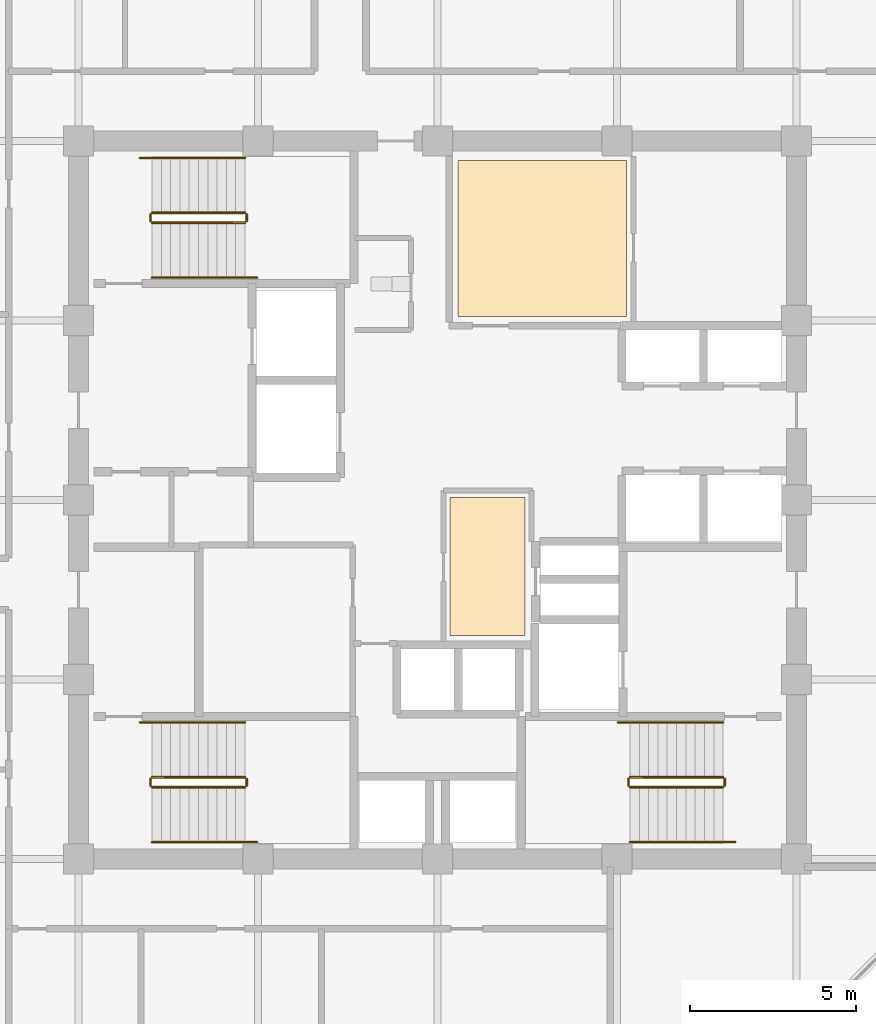
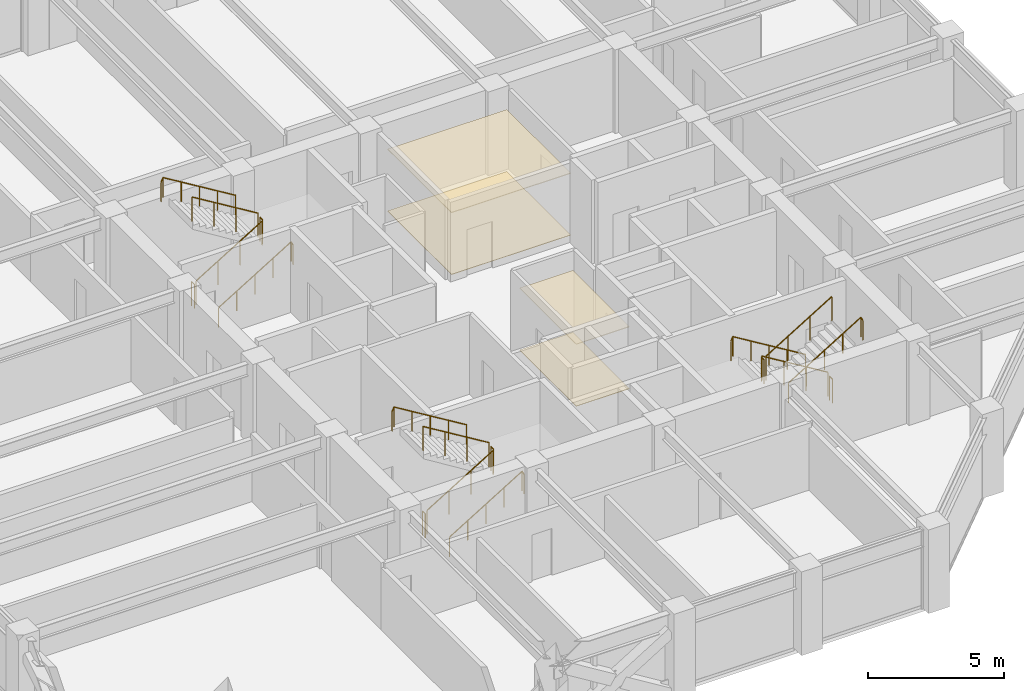
# One storey, part 31 of 32: 18 railings, 4 coverings.
"""IFC4 building model written with IfcOpenShell, lengths in metres."""

from ifc_helpers import new_model, si_unit, direction, frame, origin, origin_2d, place, context, subcontext, project, spatial, polyline, circle, outline, extrude, material, layer, layer_set, type_object, element, save


model = new_model("IFC4")

# Units and contexts
model_context = context("Model", 3, precision=1e-05, world=origin(), true_north=direction((0.0, 1.0)))
body_context = subcontext(model_context, "Body", "Model", "MODEL_VIEW")
ifc_project = project(units=[si_unit("LENGTHUNIT", "METRE"), si_unit("AREAUNIT", "SQUARE_METRE"), si_unit("VOLUMEUNIT", "CUBIC_METRE"), si_unit("PLANEANGLEUNIT", "RADIAN"), si_unit("MASSUNIT", "GRAM", prefix="KILO")], contexts=[model_context])

# Site, building, storey
site_placement = place(None, origin())
site = spatial("IfcSite", under=ifc_project, at=site_placement, CompositionType="ELEMENT")
building_placement = place(site_placement, origin())
building = spatial("IfcBuilding", under=site, at=building_placement, Name="Surkhivell Harbour Commons", CompositionType="ELEMENT")
storey_placement = place(building_placement, frame((0.0, 0.0, 208.5)))
storey = spatial("IfcBuildingStorey", under=building, at=storey_placement, Name="L54", CompositionType="ELEMENT", Elevation=208.5)

# Coverings
ifc_material_1 = material(Name="Perforated acoustic mineral-fibre ceiling tile", Category="other")
ifc_layer_1 = layer(ifc_material_1, 0.02490234375)
ifc_layer_set_1 = layer_set([ifc_layer_1], Name="Perforated acoustic mineral-fibre ceiling tile")
covering_type_1 = type_object("IfcCoveringType", Name="COV-CEIL-AC", PredefinedType="CEILING", material=ifc_layer_set_1)
covering_1_placement = place(storey_placement, frame((0.0, 0.0, 2.77490234375)))
element("IfcCovering", 1, at=covering_1_placement, inside=storey, type_object=covering_type_1, Name="L54 Suspended Acoustic Ceiling 1", PredefinedType="CEILING", context=body_context, shape_type="SweptSolid", body=[
    extrude(outline(polyline([(0.3701171875, -4.080078125), (2.6298828125, -4.080078125), (2.6298828125, 0.080078125), (0.3701171875, 0.080078125), (0.3701171875, -4.080078125)])), origin(), (0.0, 0.0, 1.0), 0.025146484375),
])
ifc_material_2 = material(Name="Moisture-resistant gypsum acoustic ceiling board", Category="other")
ifc_layer_2 = layer(ifc_material_2, 0.030029296875)
ifc_layer_set_2 = layer_set([ifc_layer_2], Name="Moisture-resistant gypsum acoustic ceiling board")
covering_type_2 = type_object("IfcCoveringType", Name="COV-CEIL-GYP", PredefinedType="CEILING", material=ifc_layer_set_2)
covering_2_placement = place(storey_placement, frame((0.0, 0.0, 2.77001953125)))
element("IfcCovering", 2, at=covering_2_placement, inside=storey, type_object=covering_type_2, Name="L54 Suspended Acoustic Ceiling 2", PredefinedType="CEILING", context=body_context, shape_type="SweptSolid", body=[
    extrude(outline(polyline([(0.6201171875, 5.52001953125), (5.679931640625, 5.52001953125), (5.679931640625, 10.219970703125), (0.6201171875, 10.219970703125), (0.6201171875, 5.52001953125)])), origin(), (0.0, 0.0, 1.0), 0.030029296875),
])
ifc_material_3 = material(Name="Engineered acoustic oak timber flooring", Category="wood")
ifc_layer_3 = layer(ifc_material_3, 0.02001953125)
ifc_layer_set_3 = layer_set([ifc_layer_3], Name="Engineered acoustic oak timber flooring")
covering_type_3 = type_object("IfcCoveringType", Name="COV-FLR-TIM", PredefinedType="FLOORING", material=ifc_layer_set_3)
covering_3_placement = place(storey_placement, origin())
element("IfcCovering", 3, at=covering_3_placement, inside=storey, type_object=covering_type_3, Name="L54 Interior Floor Finish 1", PredefinedType="FLOORING", context=body_context, shape_type="SweptSolid", body=[
    extrude(outline(polyline([(0.3701171875, -4.080078125), (2.6298828125, -4.080078125), (2.6298828125, 0.080078125), (0.3701171875, 0.080078125), (0.3701171875, -4.080078125)])), origin(), (0.0, 0.0, 1.0), 0.02001953125),
])
covering_4_placement = place(storey_placement, origin())
element("IfcCovering", 4, at=covering_4_placement, inside=storey, type_object=covering_type_3, Name="L54 Interior Floor Finish 2", PredefinedType="FLOORING", context=body_context, shape_type="SweptSolid", body=[
    extrude(outline(polyline([(0.6201171875, 5.52001953125), (5.679931640625, 5.52001953125), (5.679931640625, 10.219970703125), (0.6201171875, 10.219970703125), (0.6201171875, 5.52001953125)])), origin(), (0.0, 0.0, 1.0), 0.02001953125),
])

# Railings
ifc_material_4 = material(Name="Galvanised and painted steel S355 guard rail", Category="steel")
railing_type_1 = type_object("IfcRailingType", Name="RAL-ST-GRD1100", PredefinedType="GUARDRAIL", material=ifc_material_4)
railing_1_placement = place(storey_placement, frame((-8.590087890625, 8.340087890625, 0.17041015625)))
element("IfcRailing", 5, at=railing_1_placement, inside=storey, type_object=railing_type_1, Name="L54 ST1 stair guard 1", PredefinedType="GUARDRAIL", context=body_context, shape_type="SweptSolid", body=[
    extrude(circle(Radius=0.02392578125, at=origin_2d()), frame((0.0, 0.0, 1.076171875), z_axis=(0.854169791009, 0.0, 0.51999420009), x_axis=(0.0, 1.0, 0.0)), (0.0, 0.0, 1.0), 3.278076171875),
    extrude(circle(Radius=0.02099609375, at=origin_2d()), origin(), (0.0, 0.0, 1.0), 1.052001953125),
    extrude(circle(Radius=0.02099609375, at=origin_2d()), frame((0.933349609375, 0.0, 0.568115234375)), (0.0, 0.0, 1.0), 1.052001953125),
    extrude(circle(Radius=0.02099609375, at=origin_2d()), frame((1.86669921875, 0.0, 1.136474609375)), (0.0, 0.0, 1.0), 1.052001953125),
    extrude(circle(Radius=0.02099609375, at=origin_2d()), frame((2.800048828125, 0.0, 1.70458984375)), (0.0, 0.0, 1.0), 1.052001953125),
])
railing_2_placement = place(storey_placement, frame((-5.739990234375, 8.389892578125, 1.875)))
element("IfcRailing", 6, at=railing_2_placement, inside=storey, type_object=railing_type_1, Name="L54 ST1 stair guard 2", PredefinedType="GUARDRAIL", context=body_context, shape_type="SweptSolid", body=[
    extrude(circle(Radius=0.02392578125, at=origin_2d()), frame((0.0, 0.0, 1.076171875), z_axis=(0.0, 1.0, 0.0), x_axis=(-1.0, 0.0, 0.0)), (0.0, 0.0, 1.0), 0.2001953125),
    extrude(circle(Radius=0.02099609375, at=origin_2d()), origin(), (0.0, 0.0, 1.0), 1.052001953125),
    extrude(circle(Radius=0.02099609375, at=origin_2d()), frame((0.0, 0.2001953125, 0.0)), (0.0, 0.0, 1.0), 1.052001953125),
])
railing_3_placement = place(storey_placement, frame((-5.7900390625, 8.639892578125, 2.04541015625)))
element("IfcRailing", 7, at=railing_3_placement, inside=storey, type_object=railing_type_1, Name="L54 ST1 stair guard 3", PredefinedType="GUARDRAIL", context=body_context, shape_type="SweptSolid", body=[
    extrude(circle(Radius=0.02392578125, at=origin_2d()), frame((0.0, 0.0, 1.076171875), z_axis=(-0.854169791009, 0.0, 0.51999420009), x_axis=(0.0, -1.0, 0.0)), (0.0, 0.0, 1.0), 3.278076171875),
    extrude(circle(Radius=0.02099609375, at=origin_2d()), origin(), (0.0, 0.0, 1.0), 1.052001953125),
    extrude(circle(Radius=0.02099609375, at=origin_2d()), frame((-0.933349609375, 0.0, 0.568115234375)), (0.0, 0.0, 1.0), 1.052001953125),
    extrude(circle(Radius=0.02099609375, at=origin_2d()), frame((-1.86669921875, 0.0, 1.136474609375)), (0.0, 0.0, 1.0), 1.052001953125),
    extrude(circle(Radius=0.02099609375, at=origin_2d()), frame((-2.800048828125, 0.0, 1.70458984375)), (0.0, 0.0, 1.0), 1.052001953125),
])
railing_4_placement = place(storey_placement, frame((-8.639892578125, 8.389892578125, 0.0)))
element("IfcRailing", 8, at=railing_4_placement, inside=storey, type_object=railing_type_1, Name="L54 ST1 stair guard 4", PredefinedType="GUARDRAIL", context=body_context, shape_type="SweptSolid", body=[
    extrude(circle(Radius=0.02392578125, at=origin_2d()), frame((0.0, 0.0, 1.076171875), z_axis=(0.0, 1.0, 0.0), x_axis=(-1.0, 0.0, 0.0)), (0.0, 0.0, 1.0), 0.2001953125),
    extrude(circle(Radius=0.02099609375, at=origin_2d()), origin(), (0.0, 0.0, 1.0), 1.052001953125),
    extrude(circle(Radius=0.02099609375, at=origin_2d()), frame((0.0, 0.2001953125, 0.0)), (0.0, 0.0, 1.0), 1.052001953125),
])
railing_5_placement = place(storey_placement, frame((8.590087890625, -8.340087890625, 0.17041015625)))
element("IfcRailing", 9, at=railing_5_placement, inside=storey, type_object=railing_type_1, Name="L54 ST2 stair guard 1", PredefinedType="GUARDRAIL", context=body_context, shape_type="SweptSolid", body=[
    extrude(circle(Radius=0.02392578125, at=origin_2d()), frame((0.0, 0.0, 1.076171875), z_axis=(-0.854169791009, 0.0, 0.51999420009), x_axis=(0.0, -1.0, 0.0)), (0.0, 0.0, 1.0), 3.278076171875),
    extrude(circle(Radius=0.02099609375, at=origin_2d()), origin(), (0.0, 0.0, 1.0), 1.052001953125),
    extrude(circle(Radius=0.02099609375, at=origin_2d()), frame((-0.933349609375, 0.0, 0.568115234375)), (0.0, 0.0, 1.0), 1.052001953125),
    extrude(circle(Radius=0.02099609375, at=origin_2d()), frame((-1.86669921875, 0.0, 1.136474609375)), (0.0, 0.0, 1.0), 1.052001953125),
    extrude(circle(Radius=0.02099609375, at=origin_2d()), frame((-2.800048828125, 0.0, 1.70458984375)), (0.0, 0.0, 1.0), 1.052001953125),
])
railing_6_placement = place(storey_placement, frame((5.739990234375, -8.389892578125, 1.875)))
element("IfcRailing", 10, at=railing_6_placement, inside=storey, type_object=railing_type_1, Name="L54 ST2 stair guard 2", PredefinedType="GUARDRAIL", context=body_context, shape_type="SweptSolid", body=[
    extrude(circle(Radius=0.02392578125, at=origin_2d()), frame((0.0, 0.0, 1.076171875), z_axis=(0.0, -1.0, 0.0), x_axis=(1.0, 0.0, 0.0)), (0.0, 0.0, 1.0), 0.2001953125),
    extrude(circle(Radius=0.02099609375, at=origin_2d()), origin(), (0.0, 0.0, 1.0), 1.052001953125),
    extrude(circle(Radius=0.02099609375, at=origin_2d()), frame((0.0, -0.2001953125, 0.0)), (0.0, 0.0, 1.0), 1.052001953125),
])
railing_7_placement = place(storey_placement, frame((5.7900390625, -8.639892578125, 2.04541015625)))
element("IfcRailing", 11, at=railing_7_placement, inside=storey, type_object=railing_type_1, Name="L54 ST2 stair guard 3", PredefinedType="GUARDRAIL", context=body_context, shape_type="SweptSolid", body=[
    extrude(circle(Radius=0.02392578125, at=origin_2d()), frame((0.0, 0.0, 1.076171875), z_axis=(0.854169791009, 0.0, 0.51999420009), x_axis=(0.0, 1.0, 0.0)), (0.0, 0.0, 1.0), 3.278076171875),
    extrude(circle(Radius=0.02099609375, at=origin_2d()), origin(), (0.0, 0.0, 1.0), 1.052001953125),
    extrude(circle(Radius=0.02099609375, at=origin_2d()), frame((0.933349609375, 0.0, 0.568115234375)), (0.0, 0.0, 1.0), 1.052001953125),
    extrude(circle(Radius=0.02099609375, at=origin_2d()), frame((1.86669921875, 0.0, 1.136474609375)), (0.0, 0.0, 1.0), 1.052001953125),
    extrude(circle(Radius=0.02099609375, at=origin_2d()), frame((2.800048828125, 0.0, 1.70458984375)), (0.0, 0.0, 1.0), 1.052001953125),
])
railing_8_placement = place(storey_placement, frame((8.639892578125, -8.389892578125, 0.0)))
element("IfcRailing", 12, at=railing_8_placement, inside=storey, type_object=railing_type_1, Name="L54 ST2 stair guard 4", PredefinedType="GUARDRAIL", context=body_context, shape_type="SweptSolid", body=[
    extrude(circle(Radius=0.02392578125, at=origin_2d()), frame((0.0, 0.0, 1.076171875), z_axis=(0.0, -1.0, 0.0), x_axis=(1.0, 0.0, 0.0)), (0.0, 0.0, 1.0), 0.2001953125),
    extrude(circle(Radius=0.02099609375, at=origin_2d()), origin(), (0.0, 0.0, 1.0), 1.052001953125),
    extrude(circle(Radius=0.02099609375, at=origin_2d()), frame((0.0, -0.2001953125, 0.0)), (0.0, 0.0, 1.0), 1.052001953125),
])
railing_9_placement = place(storey_placement, frame((-8.590087890625, -8.639892578125, 0.17041015625)))
element("IfcRailing", 13, at=railing_9_placement, inside=storey, type_object=railing_type_1, Name="L54 ST3 stair guard 1", PredefinedType="GUARDRAIL", context=body_context, shape_type="SweptSolid", body=[
    extrude(circle(Radius=0.02392578125, at=origin_2d()), frame((0.0, 0.0, 1.076171875), z_axis=(0.854169791009, 0.0, 0.51999420009), x_axis=(0.0, 1.0, 0.0)), (0.0, 0.0, 1.0), 3.278076171875),
    extrude(circle(Radius=0.02099609375, at=origin_2d()), origin(), (0.0, 0.0, 1.0), 1.052001953125),
    extrude(circle(Radius=0.02099609375, at=origin_2d()), frame((0.933349609375, 0.0, 0.568115234375)), (0.0, 0.0, 1.0), 1.052001953125),
    extrude(circle(Radius=0.02099609375, at=origin_2d()), frame((1.86669921875, 0.0, 1.136474609375)), (0.0, 0.0, 1.0), 1.052001953125),
    extrude(circle(Radius=0.02099609375, at=origin_2d()), frame((2.800048828125, 0.0, 1.70458984375)), (0.0, 0.0, 1.0), 1.052001953125),
])
railing_10_placement = place(storey_placement, frame((-5.739990234375, -8.590087890625, 1.875)))
element("IfcRailing", 14, at=railing_10_placement, inside=storey, type_object=railing_type_1, Name="L54 ST3 stair guard 2", PredefinedType="GUARDRAIL", context=body_context, shape_type="SweptSolid", body=[
    extrude(circle(Radius=0.02392578125, at=origin_2d()), frame((0.0, 0.0, 1.076171875), z_axis=(0.0, 1.0, 0.0), x_axis=(-1.0, 0.0, 0.0)), (0.0, 0.0, 1.0), 0.2001953125),
    extrude(circle(Radius=0.02099609375, at=origin_2d()), origin(), (0.0, 0.0, 1.0), 1.052001953125),
    extrude(circle(Radius=0.02099609375, at=origin_2d()), frame((0.0, 0.2001953125, 0.0)), (0.0, 0.0, 1.0), 1.052001953125),
])
railing_11_placement = place(storey_placement, frame((-5.7900390625, -8.340087890625, 2.04541015625)))
element("IfcRailing", 15, at=railing_11_placement, inside=storey, type_object=railing_type_1, Name="L54 ST3 stair guard 3", PredefinedType="GUARDRAIL", context=body_context, shape_type="SweptSolid", body=[
    extrude(circle(Radius=0.02392578125, at=origin_2d()), frame((0.0, 0.0, 1.076171875), z_axis=(-0.854169791009, 0.0, 0.51999420009), x_axis=(0.0, -1.0, 0.0)), (0.0, 0.0, 1.0), 3.278076171875),
    extrude(circle(Radius=0.02099609375, at=origin_2d()), origin(), (0.0, 0.0, 1.0), 1.052001953125),
    extrude(circle(Radius=0.02099609375, at=origin_2d()), frame((-0.933349609375, 0.0, 0.568115234375)), (0.0, 0.0, 1.0), 1.052001953125),
    extrude(circle(Radius=0.02099609375, at=origin_2d()), frame((-1.86669921875, 0.0, 1.136474609375)), (0.0, 0.0, 1.0), 1.052001953125),
    extrude(circle(Radius=0.02099609375, at=origin_2d()), frame((-2.800048828125, 0.0, 1.70458984375)), (0.0, 0.0, 1.0), 1.052001953125),
])
railing_12_placement = place(storey_placement, frame((-8.639892578125, -8.590087890625, 0.0)))
element("IfcRailing", 16, at=railing_12_placement, inside=storey, type_object=railing_type_1, Name="L54 ST3 stair guard 4", PredefinedType="GUARDRAIL", context=body_context, shape_type="SweptSolid", body=[
    extrude(circle(Radius=0.02392578125, at=origin_2d()), frame((0.0, 0.0, 1.076171875), z_axis=(0.0, 1.0, 0.0), x_axis=(-1.0, 0.0, 0.0)), (0.0, 0.0, 1.0), 0.2001953125),
    extrude(circle(Radius=0.02099609375, at=origin_2d()), origin(), (0.0, 0.0, 1.0), 1.052001953125),
    extrude(circle(Radius=0.02099609375, at=origin_2d()), frame((0.0, 0.2001953125, 0.0)), (0.0, 0.0, 1.0), 1.052001953125),
])
ifc_material_5 = material(Name="Brushed stainless steel S355 handrail", Category="steel")
railing_type_2 = type_object("IfcRailingType", Name="RAL-ST-HND900", PredefinedType="HANDRAIL", material=ifc_material_5)
railing_13_placement = place(storey_placement, frame((-8.590087890625, 6.68994140625, 0.17041015625)))
element("IfcRailing", 17, at=railing_13_placement, inside=storey, type_object=railing_type_2, Name="L54 ST1 stair handrail 1", PredefinedType="HANDRAIL", context=body_context, shape_type="SweptSolid", body=[
    extrude(circle(Radius=0.02392578125, at=origin_2d()), frame((0.0, 0.0, 0.8759765625), z_axis=(0.854177636135, 0.0, 0.519981313056), x_axis=(0.0, 1.0, 0.0)), (0.0, 0.0, 1.0), 3.60595703125),
    extrude(circle(Radius=0.02392578125, at=origin_2d()), frame((3.080078125, 0.0, 2.7509765625), z_axis=(0.425297416671, 0.0, -0.905053648892), x_axis=(0.0, 1.0, 0.0)), (0.0, 0.0, 1.0), 0.188232421875),
    extrude(circle(Radius=0.02099609375, at=origin_2d()), origin(), (0.0, 0.0, 1.0), 0.851806640625),
    extrude(circle(Radius=0.02099609375, at=origin_2d()), frame((0.77001953125, 0.0, 0.46875)), (0.0, 0.0, 1.0), 0.851806640625),
    extrude(circle(Radius=0.02099609375, at=origin_2d()), frame((1.5400390625, 0.0, 0.9375)), (0.0, 0.0, 1.0), 0.851806640625),
    extrude(circle(Radius=0.02099609375, at=origin_2d()), frame((2.31005859375, 0.0, 1.40625)), (0.0, 0.0, 1.0), 0.851806640625),
    extrude(circle(Radius=0.02099609375, at=origin_2d()), frame((3.080078125, 0.0, 1.875)), (0.0, 0.0, 1.0), 0.851806640625),
    extrude(circle(Radius=0.02099609375, at=origin_2d()), frame((3.16015625, 0.0, 1.70458984375)), (0.0, 0.0, 1.0), 0.851806640625),
])
railing_14_placement = place(storey_placement, frame((-5.7900390625, 10.2900390625, 2.04541015625)))
element("IfcRailing", 18, at=railing_14_placement, inside=storey, type_object=railing_type_2, Name="L54 ST1 stair handrail 2", PredefinedType="HANDRAIL", context=body_context, shape_type="SweptSolid", body=[
    extrude(circle(Radius=0.02392578125, at=origin_2d()), frame((0.0, 0.0, 0.8759765625), z_axis=(-0.854177636135, 0.0, 0.519981313056), x_axis=(0.0, -1.0, 0.0)), (0.0, 0.0, 1.0), 3.60595703125),
    extrude(circle(Radius=0.02392578125, at=origin_2d()), frame((-3.080078125, 0.0, 2.7509765625), z_axis=(-0.424234432967, 0.0, -0.905552398199), x_axis=(0.0, -1.0, 0.0)), (0.0, 0.0, 1.0), 0.188232421875),
    extrude(circle(Radius=0.02099609375, at=origin_2d()), origin(), (0.0, 0.0, 1.0), 0.851806640625),
    extrude(circle(Radius=0.02099609375, at=origin_2d()), frame((-0.77001953125, 0.0, 0.46875)), (0.0, 0.0, 1.0), 0.851806640625),
    extrude(circle(Radius=0.02099609375, at=origin_2d()), frame((-1.5400390625, 0.0, 0.9375)), (0.0, 0.0, 1.0), 0.851806640625),
    extrude(circle(Radius=0.02099609375, at=origin_2d()), frame((-2.31005859375, 0.0, 1.40625)), (0.0, 0.0, 1.0), 0.851806640625),
    extrude(circle(Radius=0.02099609375, at=origin_2d()), frame((-3.080078125, 0.0, 1.875)), (0.0, 0.0, 1.0), 0.851806640625),
    extrude(circle(Radius=0.02099609375, at=origin_2d()), frame((-3.159912109375, 0.0, 1.70458984375)), (0.0, 0.0, 1.0), 0.851806640625),
])
railing_15_placement = place(storey_placement, frame((8.590087890625, -6.68994140625, 0.17041015625)))
element("IfcRailing", 19, at=railing_15_placement, inside=storey, type_object=railing_type_2, Name="L54 ST2 stair handrail 1", PredefinedType="HANDRAIL", context=body_context, shape_type="SweptSolid", body=[
    extrude(circle(Radius=0.02392578125, at=origin_2d()), frame((0.0, 0.0, 0.8759765625), z_axis=(-0.854177636135, 0.0, 0.519981313056), x_axis=(0.0, -1.0, 0.0)), (0.0, 0.0, 1.0), 3.60595703125),
    extrude(circle(Radius=0.02392578125, at=origin_2d()), frame((-3.080078125, 0.0, 2.7509765625), z_axis=(-0.425297416671, 0.0, -0.905053648892), x_axis=(0.0, -1.0, 0.0)), (0.0, 0.0, 1.0), 0.188232421875),
    extrude(circle(Radius=0.02099609375, at=origin_2d()), origin(), (0.0, 0.0, 1.0), 0.851806640625),
    extrude(circle(Radius=0.02099609375, at=origin_2d()), frame((-0.77001953125, 0.0, 0.46875)), (0.0, 0.0, 1.0), 0.851806640625),
    extrude(circle(Radius=0.02099609375, at=origin_2d()), frame((-1.5400390625, 0.0, 0.9375)), (0.0, 0.0, 1.0), 0.851806640625),
    extrude(circle(Radius=0.02099609375, at=origin_2d()), frame((-2.31005859375, 0.0, 1.40625)), (0.0, 0.0, 1.0), 0.851806640625),
    extrude(circle(Radius=0.02099609375, at=origin_2d()), frame((-3.080078125, 0.0, 1.875)), (0.0, 0.0, 1.0), 0.851806640625),
    extrude(circle(Radius=0.02099609375, at=origin_2d()), frame((-3.16015625, 0.0, 1.70458984375)), (0.0, 0.0, 1.0), 0.851806640625),
])
railing_16_placement = place(storey_placement, frame((5.7900390625, -10.2900390625, 2.04541015625)))
element("IfcRailing", 20, at=railing_16_placement, inside=storey, type_object=railing_type_2, Name="L54 ST2 stair handrail 2", PredefinedType="HANDRAIL", context=body_context, shape_type="SweptSolid", body=[
    extrude(circle(Radius=0.02392578125, at=origin_2d()), frame((0.0, 0.0, 0.8759765625), z_axis=(0.854177636135, 0.0, 0.519981313056), x_axis=(0.0, 1.0, 0.0)), (0.0, 0.0, 1.0), 3.60595703125),
    extrude(circle(Radius=0.02392578125, at=origin_2d()), frame((3.080078125, 0.0, 2.7509765625), z_axis=(0.424234432967, 0.0, -0.905552398199), x_axis=(0.0, 1.0, 0.0)), (0.0, 0.0, 1.0), 0.188232421875),
    extrude(circle(Radius=0.02099609375, at=origin_2d()), origin(), (0.0, 0.0, 1.0), 0.851806640625),
    extrude(circle(Radius=0.02099609375, at=origin_2d()), frame((0.77001953125, 0.0, 0.46875)), (0.0, 0.0, 1.0), 0.851806640625),
    extrude(circle(Radius=0.02099609375, at=origin_2d()), frame((1.5400390625, 0.0, 0.9375)), (0.0, 0.0, 1.0), 0.851806640625),
    extrude(circle(Radius=0.02099609375, at=origin_2d()), frame((2.31005859375, 0.0, 1.40625)), (0.0, 0.0, 1.0), 0.851806640625),
    extrude(circle(Radius=0.02099609375, at=origin_2d()), frame((3.080078125, 0.0, 1.875)), (0.0, 0.0, 1.0), 0.851806640625),
    extrude(circle(Radius=0.02099609375, at=origin_2d()), frame((3.159912109375, 0.0, 1.70458984375)), (0.0, 0.0, 1.0), 0.851806640625),
])
railing_17_placement = place(storey_placement, frame((-8.590087890625, -10.2900390625, 0.17041015625)))
element("IfcRailing", 21, at=railing_17_placement, inside=storey, type_object=railing_type_2, Name="L54 ST3 stair handrail 1", PredefinedType="HANDRAIL", context=body_context, shape_type="SweptSolid", body=[
    extrude(circle(Radius=0.02392578125, at=origin_2d()), frame((0.0, 0.0, 0.8759765625), z_axis=(0.854177636135, 0.0, 0.519981313056), x_axis=(0.0, 1.0, 0.0)), (0.0, 0.0, 1.0), 3.60595703125),
    extrude(circle(Radius=0.02392578125, at=origin_2d()), frame((3.080078125, 0.0, 2.7509765625), z_axis=(0.425297416671, 0.0, -0.905053648892), x_axis=(0.0, 1.0, 0.0)), (0.0, 0.0, 1.0), 0.188232421875),
    extrude(circle(Radius=0.02099609375, at=origin_2d()), origin(), (0.0, 0.0, 1.0), 0.851806640625),
    extrude(circle(Radius=0.02099609375, at=origin_2d()), frame((0.77001953125, 0.0, 0.46875)), (0.0, 0.0, 1.0), 0.851806640625),
    extrude(circle(Radius=0.02099609375, at=origin_2d()), frame((1.5400390625, 0.0, 0.9375)), (0.0, 0.0, 1.0), 0.851806640625),
    extrude(circle(Radius=0.02099609375, at=origin_2d()), frame((2.31005859375, 0.0, 1.40625)), (0.0, 0.0, 1.0), 0.851806640625),
    extrude(circle(Radius=0.02099609375, at=origin_2d()), frame((3.080078125, 0.0, 1.875)), (0.0, 0.0, 1.0), 0.851806640625),
    extrude(circle(Radius=0.02099609375, at=origin_2d()), frame((3.16015625, 0.0, 1.70458984375)), (0.0, 0.0, 1.0), 0.851806640625),
])
railing_18_placement = place(storey_placement, frame((-5.7900390625, -6.68994140625, 2.04541015625)))
element("IfcRailing", 22, at=railing_18_placement, inside=storey, type_object=railing_type_2, Name="L54 ST3 stair handrail 2", PredefinedType="HANDRAIL", context=body_context, shape_type="SweptSolid", body=[
    extrude(circle(Radius=0.02392578125, at=origin_2d()), frame((0.0, 0.0, 0.8759765625), z_axis=(-0.854177636135, 0.0, 0.519981313056), x_axis=(0.0, -1.0, 0.0)), (0.0, 0.0, 1.0), 3.60595703125),
    extrude(circle(Radius=0.02392578125, at=origin_2d()), frame((-3.080078125, 0.0, 2.7509765625), z_axis=(-0.424234432967, 0.0, -0.905552398199), x_axis=(0.0, -1.0, 0.0)), (0.0, 0.0, 1.0), 0.188232421875),
    extrude(circle(Radius=0.02099609375, at=origin_2d()), origin(), (0.0, 0.0, 1.0), 0.851806640625),
    extrude(circle(Radius=0.02099609375, at=origin_2d()), frame((-0.77001953125, 0.0, 0.46875)), (0.0, 0.0, 1.0), 0.851806640625),
    extrude(circle(Radius=0.02099609375, at=origin_2d()), frame((-1.5400390625, 0.0, 0.9375)), (0.0, 0.0, 1.0), 0.851806640625),
    extrude(circle(Radius=0.02099609375, at=origin_2d()), frame((-2.31005859375, 0.0, 1.40625)), (0.0, 0.0, 1.0), 0.851806640625),
    extrude(circle(Radius=0.02099609375, at=origin_2d()), frame((-3.080078125, 0.0, 1.875)), (0.0, 0.0, 1.0), 0.851806640625),
    extrude(circle(Radius=0.02099609375, at=origin_2d()), frame((-3.159912109375, 0.0, 1.70458984375)), (0.0, 0.0, 1.0), 0.851806640625),
])

save(model, "model.ifc")
